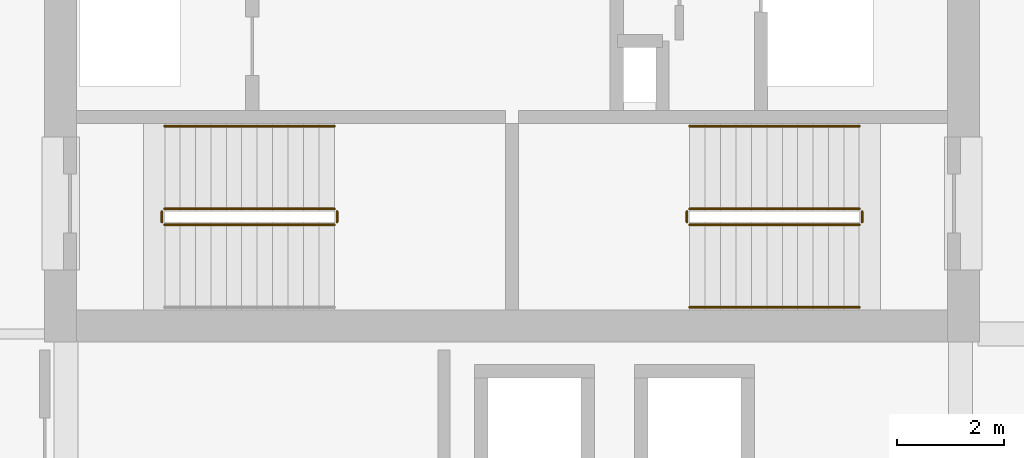
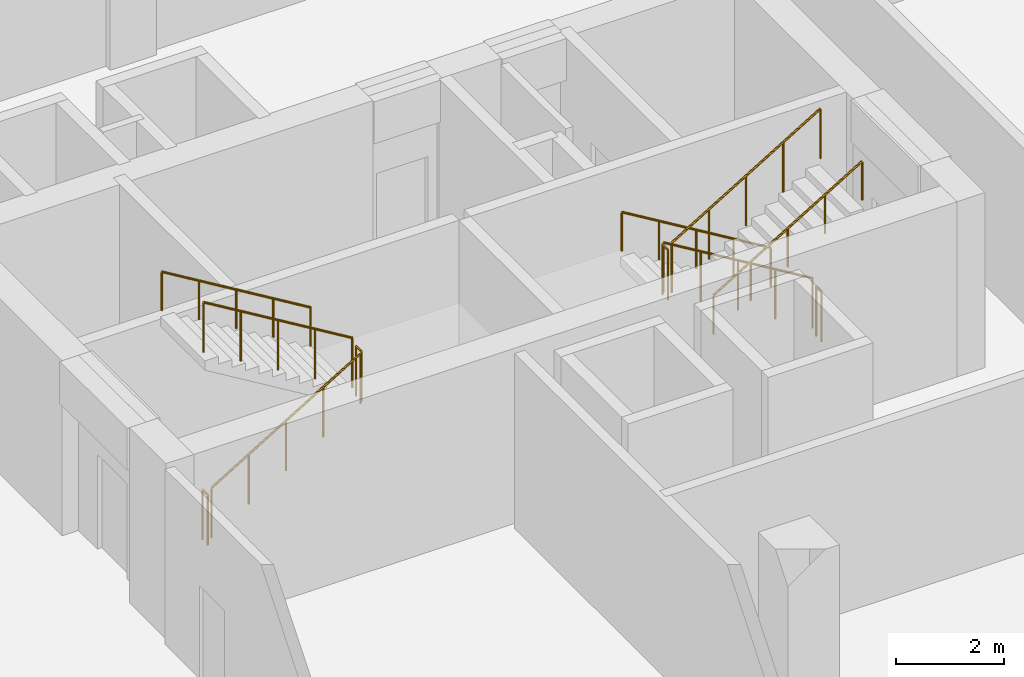
# One storey, part 20 of 22: 11 railings.
"""IFC4 building model written with IfcOpenShell, lengths in metres."""

from ifc_helpers import new_model, si_unit, direction, frame, origin, origin_2d, place, context, subcontext, project, spatial, circle, extrude, material, type_object, element, save


model = new_model("IFC4")

# Units and contexts
model_context = context("Model", 3, precision=1e-05, world=origin(), true_north=direction((0.0, 1.0)))
body_context = subcontext(model_context, "Body", "Model", "MODEL_VIEW")
ifc_project = project(units=[si_unit("LENGTHUNIT", "METRE"), si_unit("AREAUNIT", "SQUARE_METRE"), si_unit("VOLUMEUNIT", "CUBIC_METRE"), si_unit("PLANEANGLEUNIT", "RADIAN"), si_unit("MASSUNIT", "GRAM", prefix="KILO")], contexts=[model_context])

# Site, building, storey
site_placement = place(None, origin())
site = spatial("IfcSite", under=ifc_project, at=site_placement, CompositionType="ELEMENT")
building_placement = place(site_placement, origin())
building = spatial("IfcBuilding", under=site, at=building_placement, Name="Koriwani Terraces Tower", CompositionType="ELEMENT")
storey_placement = place(building_placement, frame((0.0, 0.0, 219.800048828125)))
storey = spatial("IfcBuildingStorey", under=building, at=storey_placement, Name="L54", CompositionType="ELEMENT", Elevation=219.800048828125)

# Railings
ifc_material = material(Name="Steel ASTM A572 Grade 50", Category="steel")
railing_type_1 = type_object("IfcRailingType", Name="GUARD_STAIR_WELL_1120", PredefinedType="GUARDRAIL", material=ifc_material)
railing_1_placement = place(storey_placement, frame((43.85009765625, 18.85009765625, 0.175048828125)))
element("IfcRailing", 1, at=railing_1_placement, inside=storey, type_object=railing_type_1, Name="L54 ST-E1 stair guard 1", PredefinedType="GUARDRAIL", context=body_context, shape_type="SweptSolid", body=[
    extrude(circle(Radius=0.02392578125, at=origin_2d()), frame((0.0, 0.0, 1.1259765625), z_axis=(0.856206652436, 0.0, 0.516633495163), x_axis=(0.0, 1.0, 0.0)), (0.0, 0.0, 1.0), 3.7255859375),
    extrude(circle(Radius=0.02099609375, at=origin_2d()), origin(), (0.0, 0.0, 1.0), 1.101806640625),
    extrude(circle(Radius=0.02099609375, at=origin_2d()), frame((0.79736328125, 0.0, 0.481201171875)), (0.0, 0.0, 1.0), 1.101806640625),
    extrude(circle(Radius=0.02099609375, at=origin_2d()), frame((1.594970703125, 0.0, 0.96240234375)), (0.0, 0.0, 1.0), 1.101806640625),
    extrude(circle(Radius=0.02099609375, at=origin_2d()), frame((2.392578125, 0.0, 1.443603515625)), (0.0, 0.0, 1.0), 1.101806640625),
    extrude(circle(Radius=0.02099609375, at=origin_2d()), frame((3.18994140625, 0.0, 1.9248046875)), (0.0, 0.0, 1.0), 1.101806640625),
])
railing_2_placement = place(storey_placement, frame((47.090087890625, 18.89990234375, 2.099853515625)))
element("IfcRailing", 2, at=railing_2_placement, inside=storey, type_object=railing_type_1, Name="L54 ST-E1 stair guard 2", PredefinedType="GUARDRAIL", context=body_context, shape_type="SweptSolid", body=[
    extrude(circle(Radius=0.02392578125, at=origin_2d()), frame((0.0, 0.0, 1.1259765625), z_axis=(0.0, 1.0, 0.0), x_axis=(-1.0, 0.0, 0.0)), (0.0, 0.0, 1.0), 0.2001953125),
    extrude(circle(Radius=0.02099609375, at=origin_2d()), origin(), (0.0, 0.0, 1.0), 1.101806640625),
    extrude(circle(Radius=0.02099609375, at=origin_2d()), frame((0.0, 0.2001953125, 0.0)), (0.0, 0.0, 1.0), 1.101806640625),
])
railing_3_placement = place(storey_placement, frame((47.0400390625, 19.14990234375, 2.27490234375)))
element("IfcRailing", 3, at=railing_3_placement, inside=storey, type_object=railing_type_1, Name="L54 ST-E1 stair guard 3", PredefinedType="GUARDRAIL", context=body_context, shape_type="SweptSolid", body=[
    extrude(circle(Radius=0.02392578125, at=origin_2d()), frame((0.0, 0.0, 1.1259765625), z_axis=(-0.856177665481, 0.0, 0.516681531633), x_axis=(0.0, -1.0, 0.0)), (0.0, 0.0, 1.0), 3.725830078125),
    extrude(circle(Radius=0.02099609375, at=origin_2d()), origin(), (0.0, 0.0, 1.0), 1.101806640625),
    extrude(circle(Radius=0.02099609375, at=origin_2d()), frame((-0.79736328125, 0.0, 0.481201171875)), (0.0, 0.0, 1.0), 1.101806640625),
    extrude(circle(Radius=0.02099609375, at=origin_2d()), frame((-1.594970703125, 0.0, 0.96240234375)), (0.0, 0.0, 1.0), 1.101806640625),
    extrude(circle(Radius=0.02099609375, at=origin_2d()), frame((-2.392578125, 0.0, 1.44384765625)), (0.0, 0.0, 1.0), 1.101806640625),
    extrude(circle(Radius=0.02099609375, at=origin_2d()), frame((-3.18994140625, 0.0, 1.925048828125)), (0.0, 0.0, 1.0), 1.101806640625),
])
railing_4_placement = place(storey_placement, frame((43.800048828125, 18.89990234375, 0.0)))
element("IfcRailing", 4, at=railing_4_placement, inside=storey, type_object=railing_type_1, Name="L54 ST-E1 stair guard 4", PredefinedType="GUARDRAIL", context=body_context, shape_type="SweptSolid", body=[
    extrude(circle(Radius=0.02392578125, at=origin_2d()), frame((0.0, 0.0, 1.1259765625), z_axis=(0.0, 1.0, 0.0), x_axis=(-1.0, 0.0, 0.0)), (0.0, 0.0, 1.0), 0.2001953125),
    extrude(circle(Radius=0.02099609375, at=origin_2d()), origin(), (0.0, 0.0, 1.0), 1.101806640625),
    extrude(circle(Radius=0.02099609375, at=origin_2d()), frame((0.0, 0.2001953125, 0.0)), (0.0, 0.0, 1.0), 1.101806640625),
])
railing_5_placement = place(storey_placement, frame((56.89990234375, 19.14990234375, 0.175048828125)))
element("IfcRailing", 5, at=railing_5_placement, inside=storey, type_object=railing_type_1, Name="L54 ST-E2 stair guard 1", PredefinedType="GUARDRAIL", context=body_context, shape_type="SweptSolid", body=[
    extrude(circle(Radius=0.02392578125, at=origin_2d()), frame((0.0, 0.0, 1.1259765625), z_axis=(-0.856206652436, 0.0, 0.516633495163), x_axis=(0.0, -1.0, 0.0)), (0.0, 0.0, 1.0), 3.7255859375),
    extrude(circle(Radius=0.02099609375, at=origin_2d()), origin(), (0.0, 0.0, 1.0), 1.101806640625),
    extrude(circle(Radius=0.02099609375, at=origin_2d()), frame((-0.79736328125, 0.0, 0.481201171875)), (0.0, 0.0, 1.0), 1.101806640625),
    extrude(circle(Radius=0.02099609375, at=origin_2d()), frame((-1.594970703125, 0.0, 0.96240234375)), (0.0, 0.0, 1.0), 1.101806640625),
    extrude(circle(Radius=0.02099609375, at=origin_2d()), frame((-2.392578125, 0.0, 1.443603515625)), (0.0, 0.0, 1.0), 1.101806640625),
    extrude(circle(Radius=0.02099609375, at=origin_2d()), frame((-3.18994140625, 0.0, 1.9248046875)), (0.0, 0.0, 1.0), 1.101806640625),
])
railing_6_placement = place(storey_placement, frame((53.659912109375, 19.10009765625, 2.099853515625)))
element("IfcRailing", 6, at=railing_6_placement, inside=storey, type_object=railing_type_1, Name="L54 ST-E2 stair guard 2", PredefinedType="GUARDRAIL", context=body_context, shape_type="SweptSolid", body=[
    extrude(circle(Radius=0.02392578125, at=origin_2d()), frame((0.0, 0.0, 1.1259765625), z_axis=(0.0, -1.0, 0.0), x_axis=(1.0, 0.0, 0.0)), (0.0, 0.0, 1.0), 0.2001953125),
    extrude(circle(Radius=0.02099609375, at=origin_2d()), origin(), (0.0, 0.0, 1.0), 1.101806640625),
    extrude(circle(Radius=0.02099609375, at=origin_2d()), frame((0.0, -0.2001953125, 0.0)), (0.0, 0.0, 1.0), 1.101806640625),
])
railing_7_placement = place(storey_placement, frame((53.7099609375, 18.85009765625, 2.27490234375)))
element("IfcRailing", 7, at=railing_7_placement, inside=storey, type_object=railing_type_1, Name="L54 ST-E2 stair guard 3", PredefinedType="GUARDRAIL", context=body_context, shape_type="SweptSolid", body=[
    extrude(circle(Radius=0.02392578125, at=origin_2d()), frame((0.0, 0.0, 1.1259765625), z_axis=(0.856177665481, 0.0, 0.516681531633), x_axis=(0.0, 1.0, 0.0)), (0.0, 0.0, 1.0), 3.725830078125),
    extrude(circle(Radius=0.02099609375, at=origin_2d()), origin(), (0.0, 0.0, 1.0), 1.101806640625),
    extrude(circle(Radius=0.02099609375, at=origin_2d()), frame((0.79736328125, 0.0, 0.481201171875)), (0.0, 0.0, 1.0), 1.101806640625),
    extrude(circle(Radius=0.02099609375, at=origin_2d()), frame((1.594970703125, 0.0, 0.96240234375)), (0.0, 0.0, 1.0), 1.101806640625),
    extrude(circle(Radius=0.02099609375, at=origin_2d()), frame((2.392578125, 0.0, 1.44384765625)), (0.0, 0.0, 1.0), 1.101806640625),
    extrude(circle(Radius=0.02099609375, at=origin_2d()), frame((3.18994140625, 0.0, 1.925048828125)), (0.0, 0.0, 1.0), 1.101806640625),
])
railing_8_placement = place(storey_placement, frame((56.949951171875, 19.10009765625, 0.0)))
element("IfcRailing", 8, at=railing_8_placement, inside=storey, type_object=railing_type_1, Name="L54 ST-E2 stair guard 4", PredefinedType="GUARDRAIL", context=body_context, shape_type="SweptSolid", body=[
    extrude(circle(Radius=0.02392578125, at=origin_2d()), frame((0.0, 0.0, 1.1259765625), z_axis=(0.0, -1.0, 0.0), x_axis=(1.0, 0.0, 0.0)), (0.0, 0.0, 1.0), 0.2001953125),
    extrude(circle(Radius=0.02099609375, at=origin_2d()), origin(), (0.0, 0.0, 1.0), 1.101806640625),
    extrude(circle(Radius=0.02099609375, at=origin_2d()), frame((0.0, -0.2001953125, 0.0)), (0.0, 0.0, 1.0), 1.101806640625),
])
railing_type_2 = type_object("IfcRailingType", Name="HANDRAIL_STAIR_920", PredefinedType="HANDRAIL", material=ifc_material)
railing_9_placement = place(storey_placement, frame((47.0400390625, 20.699951171875, 2.27490234375)))
element("IfcRailing", 9, at=railing_9_placement, inside=storey, type_object=railing_type_2, Name="L54 ST-E1 stair handrail 2", PredefinedType="HANDRAIL", context=body_context, shape_type="SweptSolid", body=[
    extrude(circle(Radius=0.02392578125, at=origin_2d()), frame((0.0, 0.0, 0.8759765625), z_axis=(-0.856177665481, 0.0, 0.516681531633), x_axis=(0.0, -1.0, 0.0)), (0.0, 0.0, 1.0), 3.725830078125),
    extrude(circle(Radius=0.02099609375, at=origin_2d()), origin(), (0.0, 0.0, 1.0), 0.851806640625),
    extrude(circle(Radius=0.02099609375, at=origin_2d()), frame((-0.79736328125, 0.0, 0.481201171875)), (0.0, 0.0, 1.0), 0.851806640625),
    extrude(circle(Radius=0.02099609375, at=origin_2d()), frame((-1.594970703125, 0.0, 0.96240234375)), (0.0, 0.0, 1.0), 0.851806640625),
    extrude(circle(Radius=0.02099609375, at=origin_2d()), frame((-2.392578125, 0.0, 1.44384765625)), (0.0, 0.0, 1.0), 0.851806640625),
    extrude(circle(Radius=0.02099609375, at=origin_2d()), frame((-3.18994140625, 0.0, 1.925048828125)), (0.0, 0.0, 1.0), 0.851806640625),
])
railing_10_placement = place(storey_placement, frame((56.89990234375, 20.699951171875, 0.175048828125)))
element("IfcRailing", 10, at=railing_10_placement, inside=storey, type_object=railing_type_2, Name="L54 ST-E2 stair handrail 1", PredefinedType="HANDRAIL", context=body_context, shape_type="SweptSolid", body=[
    extrude(circle(Radius=0.02392578125, at=origin_2d()), frame((0.0, 0.0, 0.8759765625), z_axis=(-0.856206652436, 0.0, 0.516633495163), x_axis=(0.0, -1.0, 0.0)), (0.0, 0.0, 1.0), 3.7255859375),
    extrude(circle(Radius=0.02099609375, at=origin_2d()), origin(), (0.0, 0.0, 1.0), 0.851806640625),
    extrude(circle(Radius=0.02099609375, at=origin_2d()), frame((-0.79736328125, 0.0, 0.481201171875)), (0.0, 0.0, 1.0), 0.851806640625),
    extrude(circle(Radius=0.02099609375, at=origin_2d()), frame((-1.594970703125, 0.0, 0.96240234375)), (0.0, 0.0, 1.0), 0.851806640625),
    extrude(circle(Radius=0.02099609375, at=origin_2d()), frame((-2.392578125, 0.0, 1.443603515625)), (0.0, 0.0, 1.0), 0.851806640625),
    extrude(circle(Radius=0.02099609375, at=origin_2d()), frame((-3.18994140625, 0.0, 1.9248046875)), (0.0, 0.0, 1.0), 0.851806640625),
])
railing_11_placement = place(storey_placement, frame((53.7099609375, 17.300048828125, 2.27490234375)))
element("IfcRailing", 11, at=railing_11_placement, inside=storey, type_object=railing_type_2, Name="L54 ST-E2 stair handrail 2", PredefinedType="HANDRAIL", context=body_context, shape_type="SweptSolid", body=[
    extrude(circle(Radius=0.02392578125, at=origin_2d()), frame((0.0, 0.0, 0.8759765625), z_axis=(0.856177665481, 0.0, 0.516681531633), x_axis=(0.0, 1.0, 0.0)), (0.0, 0.0, 1.0), 3.725830078125),
    extrude(circle(Radius=0.02099609375, at=origin_2d()), origin(), (0.0, 0.0, 1.0), 0.851806640625),
    extrude(circle(Radius=0.02099609375, at=origin_2d()), frame((0.79736328125, 0.0, 0.481201171875)), (0.0, 0.0, 1.0), 0.851806640625),
    extrude(circle(Radius=0.02099609375, at=origin_2d()), frame((1.594970703125, 0.0, 0.96240234375)), (0.0, 0.0, 1.0), 0.851806640625),
    extrude(circle(Radius=0.02099609375, at=origin_2d()), frame((2.392578125, 0.0, 1.44384765625)), (0.0, 0.0, 1.0), 0.851806640625),
    extrude(circle(Radius=0.02099609375, at=origin_2d()), frame((3.18994140625, 0.0, 1.925048828125)), (0.0, 0.0, 1.0), 0.851806640625),
])

save(model, "model.ifc")
